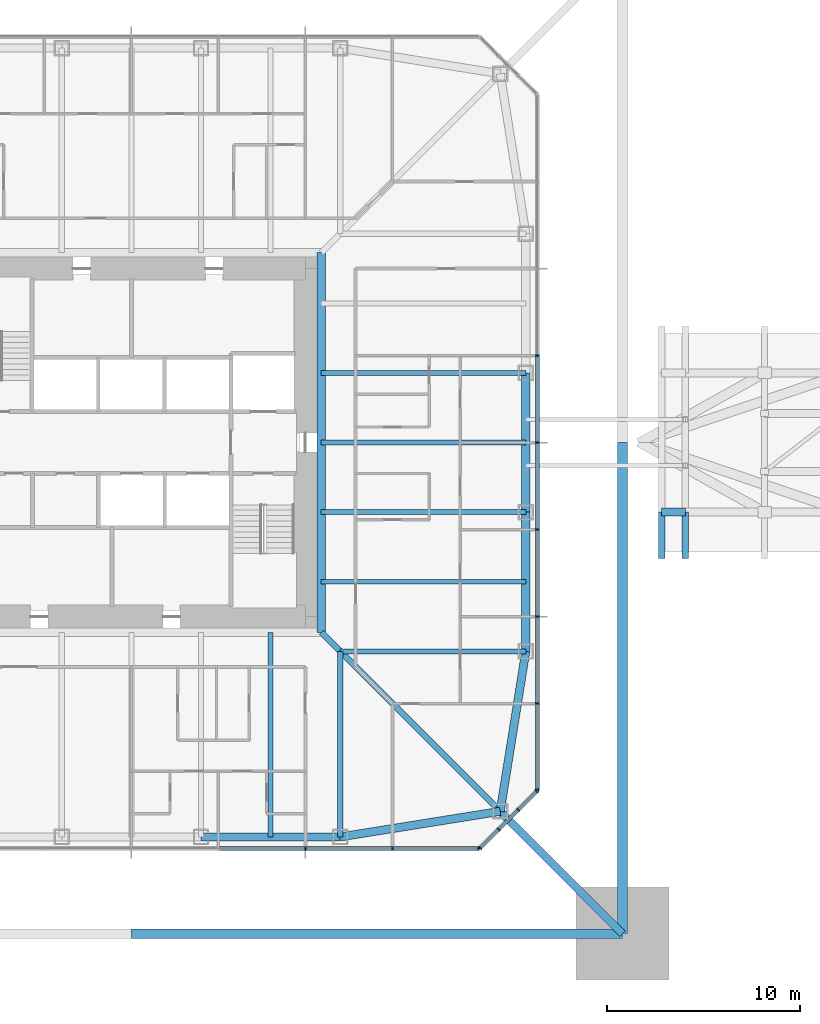
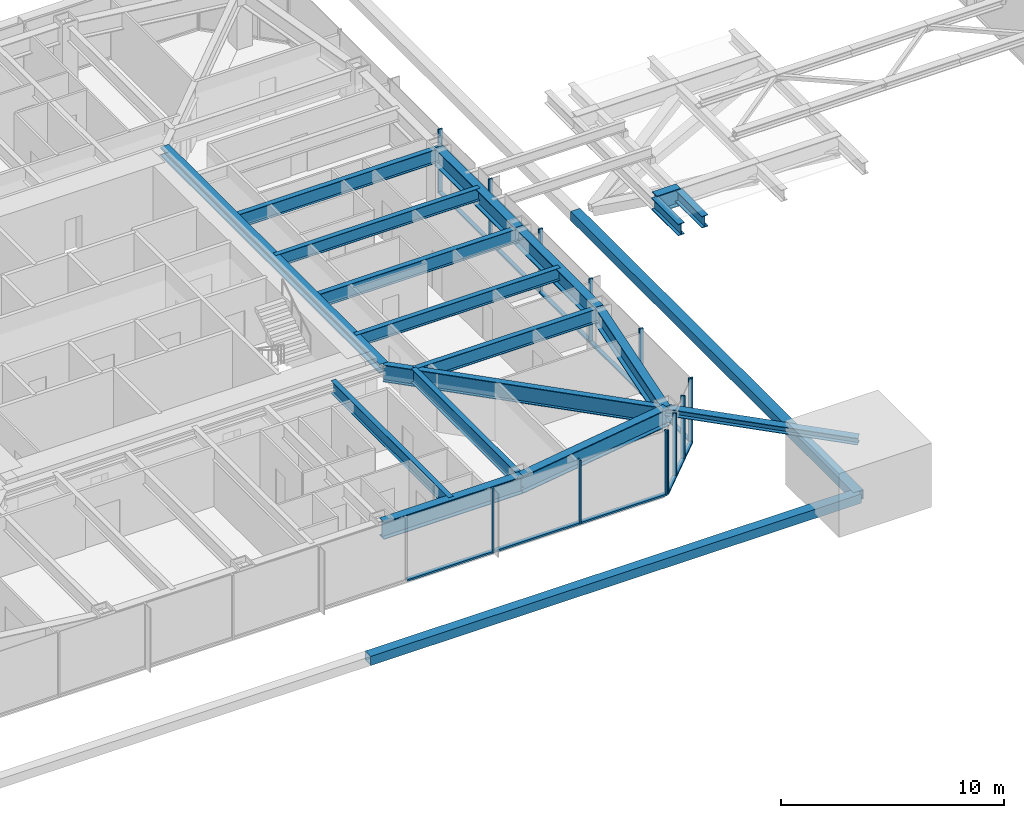
# One storey, part 4 of 26: 29 members, 17 beams, 3 elements without a shape of their own.
"""IFC4 building model written with IfcOpenShell, lengths in metres."""

from ifc_helpers import new_model, si_unit, direction, frame, origin, origin_2d, place, context, subcontext, project, spatial, rectangle, hollow_rectangle, i_section, extrude, material, material_profile, profile_set, type_object, element, aggregate, save


model = new_model("IFC4")

# Units and contexts
model_context = context("Model", 3, precision=1e-05, world=origin(), true_north=direction((0.0, 1.0)))
body_context = subcontext(model_context, "Body", "Model", "MODEL_VIEW")
ifc_project = project(units=[si_unit("LENGTHUNIT", "METRE"), si_unit("AREAUNIT", "SQUARE_METRE"), si_unit("VOLUMEUNIT", "CUBIC_METRE"), si_unit("PLANEANGLEUNIT", "RADIAN"), si_unit("MASSUNIT", "GRAM", prefix="KILO")], contexts=[model_context])

# Site, building, storey
site_placement = place(None, origin())
site = spatial("IfcSite", under=ifc_project, at=site_placement, CompositionType="ELEMENT")
building_placement = place(site_placement, origin())
building = spatial("IfcBuilding", under=site, at=building_placement, Name="Iwan Alto Co-Living Towers", CompositionType="ELEMENT")
storey_placement = place(building_placement, frame((0.0, 0.0, 126.0)))
storey = spatial("IfcBuildingStorey", under=building, at=storey_placement, Name="L34", CompositionType="ELEMENT", Elevation=126.0)

# Beams
ifc_material_1 = material(Name="Steel ASTM A992 Gr 50", Category="steel")
ifc_material_profile_1 = material_profile(ifc_material_1, i_section(OverallWidth=0.424072265625, OverallDepth=0.947509765625, WebThickness=0.02392578125, FlangeThickness=0.042724609375, at=origin_2d()), Name="W36X302")
ifc_profile_set_1 = profile_set([ifc_material_profile_1], Name="Steel ASTM A992 Gr 50")
beam_type_1 = type_object("IfcBeamType", Name="BRIDGE POD EDGE GIRDER W36X302", PredefinedType="BEAM", material=ifc_profile_set_1)
beam_1_placement = place(storey_placement, frame((27.423828125, -3.60009765625, 2.11767578125), z_axis=(1.0, 0.0, 0.0), x_axis=(0.0, 1.0, 0.0)))
element("IfcBeam", 1, at=beam_1_placement, inside=storey, type_object=beam_type_1, Name="BR2 landing grillage edge girder S 1", PredefinedType="BEAM", context=body_context, shape_type="SweptSolid", body=[
    extrude(i_section(OverallWidth=0.424072265625, OverallDepth=0.947509765625, WebThickness=0.02392578125, FlangeThickness=0.042724609375, at=origin_2d()), origin(), (0.0, 0.0, 1.0), 1.22607421875),
])
ifc_material_2 = material(Name="Steel ASTM A992 Gr 50", Category="steel")
ifc_material_profile_2 = material_profile(ifc_material_2, i_section(OverallWidth=0.32763671875, OverallDepth=0.64013671875, WebThickness=0.01904296875, FlangeThickness=0.033935546875, at=origin_2d()), Name="W24X176")
ifc_profile_set_2 = profile_set([ifc_material_profile_2], Name="Steel ASTM A992 Gr 50")
beam_type_2 = type_object("IfcBeamType", Name="BRIDGE POD GRILLAGE GIRDER W24X176", PredefinedType="BEAM", material=ifc_profile_set_2)
for number, where, z_axis, x_axis, name in (
    (2, (27.423828125, -6.0, 2.11767578125), (0.0, 1.0, 0.0), (-1.0, 0.0, 0.0), "BR2 landing grillage girder 1"),
    (3, (28.64990234375, -6.0, 2.11767578125), (0.0, 1.0, 0.0), (-1.0, 0.0, 0.0), "BR2 landing grillage girder 1"),
):
    element("IfcBeam", number, at=place(storey_placement, frame(where, z_axis=z_axis, x_axis=x_axis)), inside=storey, type_object=beam_type_2, Name=name, PredefinedType="BEAM", context=body_context, shape_type="SweptSolid", body=[
        extrude(i_section(OverallWidth=0.32763671875, OverallDepth=0.64013671875, WebThickness=0.01904296875, FlangeThickness=0.033935546875, at=origin_2d()), origin(), (0.0, 0.0, 1.0), 2.39990234375),
    ])

# Curtain wall, members
ifc_material_3 = material(Name="Bronze aluminium unitised frame", Category="aluminium")
curtain_wall_type_1 = type_object("IfcCurtainWallType", Name="CURTAIN WALL CW-A", PredefinedType="NOTDEFINED", material=ifc_material_3)
curtain_wall_1_placement = place(storey_placement, origin())
curtain_wall_1 = element("IfcCurtainWall", 4, at=curtain_wall_1_placement, inside=storey, type_object=curtain_wall_type_1, Name="T1 curtain wall S L34", PredefinedType="NOTDEFINED")
ifc_material_4 = material(Name="Aluminium 6063-T6 bronze anodised", Category="aluminium")
ifc_material_profile_3 = material_profile(ifc_material_4, rectangle(XDim=0.199951171875, YDim=0.080078125, at=origin_2d()), Name="AL 80X200")
ifc_profile_set_3 = profile_set([ifc_material_profile_3], Name="Aluminium 6063-T6 bronze anodised")
member_type_1 = type_object("IfcMemberType", Name="CW-A MULLION 80X200", PredefinedType="MULLION", material=ifc_profile_set_3)
member_1_placement = place(storey_placement, frame((9.0, -21.0, 0.0), z_axis=(0.0, 0.0, 1.0), x_axis=(0.0, 1.0, 0.0)))
member_1 = element("IfcMember", 5, at=member_1_placement, type_object=member_type_1, Name="CW-A mullion 7", PredefinedType="MULLION", context=body_context, shape_type="SweptSolid", body=[
    extrude(rectangle(XDim=0.199951171875, YDim=0.080078125, at=origin_2d()), origin(), (0.0, 0.0, 1.0), 3.5),
])
member_2_placement = place(storey_placement, frame((13.5, -21.0, 0.0), z_axis=(0.0, 0.0, 1.0), x_axis=(0.0, 1.0, 0.0)))
member_2 = element("IfcMember", 6, at=member_2_placement, type_object=member_type_1, Name="CW-A mullion 8", PredefinedType="MULLION", context=body_context, shape_type="SweptSolid", body=[
    extrude(rectangle(XDim=0.199951171875, YDim=0.080078125, at=origin_2d()), origin(), (0.0, 0.0, 1.0), 3.5),
])
member_3_placement = place(storey_placement, frame((17.9599609375, -21.0, 0.0), z_axis=(0.0, 0.0, 1.0), x_axis=(0.0, 1.0, 0.0)))
member_3 = element("IfcMember", 7, at=member_3_placement, type_object=member_type_1, Name="CW-A mullion 9", PredefinedType="MULLION", context=body_context, shape_type="SweptSolid", body=[
    extrude(rectangle(XDim=0.199951171875, YDim=0.080078125, at=origin_2d()), origin(), (0.0, 0.0, 1.0), 3.5),
])

curtain_wall_2_placement = place(storey_placement, origin())
curtain_wall_2 = element("IfcCurtainWall", 8, at=curtain_wall_2_placement, inside=storey, type_object=curtain_wall_type_1, Name="T1 curtain wall E L34", PredefinedType="NOTDEFINED")
member_4_placement = place(storey_placement, frame((21.0, -17.9599609375, 0.0), z_axis=(0.0, 0.0, 1.0), x_axis=(-1.0, 0.0, 0.0)))
member_4 = element("IfcMember", 9, at=member_4_placement, type_object=member_type_1, Name="CW-A mullion 1", PredefinedType="MULLION", context=body_context, shape_type="SweptSolid", body=[
    extrude(rectangle(XDim=0.199951171875, YDim=0.080078125, at=origin_2d()), origin(), (0.0, 0.0, 1.0), 3.5),
])
member_5_placement = place(storey_placement, frame((21.0, -13.5, 0.0), z_axis=(0.0, 0.0, 1.0), x_axis=(-1.0, 0.0, 0.0)))
member_5 = element("IfcMember", 10, at=member_5_placement, type_object=member_type_1, Name="CW-A mullion 2", PredefinedType="MULLION", context=body_context, shape_type="SweptSolid", body=[
    extrude(rectangle(XDim=0.199951171875, YDim=0.080078125, at=origin_2d()), origin(), (0.0, 0.0, 1.0), 3.5),
])
member_6_placement = place(storey_placement, frame((21.0, -9.0, 0.0), z_axis=(0.0, 0.0, 1.0), x_axis=(-1.0, 0.0, 0.0)))
member_6 = element("IfcMember", 11, at=member_6_placement, type_object=member_type_1, Name="CW-A mullion 3", PredefinedType="MULLION", context=body_context, shape_type="SweptSolid", body=[
    extrude(rectangle(XDim=0.199951171875, YDim=0.080078125, at=origin_2d()), origin(), (0.0, 0.0, 1.0), 3.5),
])
member_7_placement = place(storey_placement, frame((21.0, -4.5, 0.0), z_axis=(0.0, 0.0, 1.0), x_axis=(-1.0, 0.0, 0.0)))
member_7 = element("IfcMember", 12, at=member_7_placement, type_object=member_type_1, Name="CW-A mullion 4", PredefinedType="MULLION", context=body_context, shape_type="SweptSolid", body=[
    extrude(rectangle(XDim=0.199951171875, YDim=0.080078125, at=origin_2d()), origin(), (0.0, 0.0, 1.0), 3.5),
])
member_8_placement = place(storey_placement, frame((21.0, 0.0, 0.0), z_axis=(0.0, 0.0, 1.0), x_axis=(-1.0, 0.0, 0.0)))
member_8 = element("IfcMember", 13, at=member_8_placement, type_object=member_type_1, Name="CW-A mullion 5", PredefinedType="MULLION", context=body_context, shape_type="SweptSolid", body=[
    extrude(rectangle(XDim=0.199951171875, YDim=0.080078125, at=origin_2d()), origin(), (0.0, 0.0, 1.0), 3.5),
])
member_9_placement = place(storey_placement, frame((21.0, 4.5, 0.0), z_axis=(0.0, 0.0, 1.0), x_axis=(-1.0, 0.0, 0.0)))
member_9 = element("IfcMember", 14, at=member_9_placement, type_object=member_type_1, Name="CW-A mullion 6", PredefinedType="MULLION", context=body_context, shape_type="SweptSolid", body=[
    extrude(rectangle(XDim=0.199951171875, YDim=0.080078125, at=origin_2d()), origin(), (0.0, 0.0, 1.0), 3.5),
])

# Member
ifc_material_5 = material(Name="Aluminium 6063-T6 bronze anodised", Category="aluminium")
ifc_material_profile_4 = material_profile(ifc_material_5, rectangle(XDim=0.199951171875, YDim=0.10009765625, at=origin_2d()), Name="AL 200X100")
ifc_profile_set_4 = profile_set([ifc_material_profile_4], Name="Aluminium 6063-T6 bronze anodised")
member_type_2 = type_object("IfcMemberType", Name="CW-A TRANSOM 200X100", PredefinedType="USERDEFINED", material=ifc_profile_set_4)
member_10_placement = place(storey_placement, frame((4.5400390625, -21.0, 0.050048828125), z_axis=(1.0, 0.0, 0.0), x_axis=(0.0, 1.0, 0.0)))
member_10 = element("IfcMember", 15, at=member_10_placement, type_object=member_type_2, Name="CW-A transom 6.1", ObjectType="TRANSOM", PredefinedType="USERDEFINED", context=body_context, shape_type="SweptSolid", body=[
    extrude(rectangle(XDim=0.199951171875, YDim=0.10009765625, at=origin_2d()), origin(), (0.0, 0.0, 1.0), 4.419921875),
])

member_11_placement = place(storey_placement, frame((9.0400390625, -21.0, 0.050048828125), z_axis=(1.0, 0.0, 0.0), x_axis=(0.0, 1.0, 0.0)))
member_11 = element("IfcMember", 16, at=member_11_placement, type_object=member_type_2, Name="CW-A transom 7.1", ObjectType="TRANSOM", PredefinedType="USERDEFINED", context=body_context, shape_type="SweptSolid", body=[
    extrude(rectangle(XDim=0.199951171875, YDim=0.10009765625, at=origin_2d()), origin(), (0.0, 0.0, 1.0), 4.419921875),
])

member_12_placement = place(storey_placement, frame((13.5400390625, -21.0, 0.050048828125), z_axis=(1.0, 0.0, 0.0), x_axis=(0.0, 1.0, 0.0)))
member_12 = element("IfcMember", 17, at=member_12_placement, type_object=member_type_2, Name="CW-A transom 8.1", ObjectType="TRANSOM", PredefinedType="USERDEFINED", context=body_context, shape_type="SweptSolid", body=[
    extrude(rectangle(XDim=0.199951171875, YDim=0.10009765625, at=origin_2d()), origin(), (0.0, 0.0, 1.0), 4.3798828125),
])

aggregate(curtain_wall_1, [member_1, member_2, member_3, member_10, member_11, member_12])

member_13_placement = place(storey_placement, frame((21.0, -17.919921875, 0.050048828125), z_axis=(0.0, 1.0, 0.0), x_axis=(-1.0, 0.0, 0.0)))
member_13 = element("IfcMember", 18, at=member_13_placement, type_object=member_type_2, Name="CW-A transom 1.1", ObjectType="TRANSOM", PredefinedType="USERDEFINED", context=body_context, shape_type="SweptSolid", body=[
    extrude(rectangle(XDim=0.199951171875, YDim=0.10009765625, at=origin_2d()), origin(), (0.0, 0.0, 1.0), 4.3798828125),
])

member_14_placement = place(storey_placement, frame((21.0, -13.4599609375, 0.050048828125), z_axis=(0.0, 1.0, 0.0), x_axis=(-1.0, 0.0, 0.0)))
member_14 = element("IfcMember", 19, at=member_14_placement, type_object=member_type_2, Name="CW-A transom 2.1", ObjectType="TRANSOM", PredefinedType="USERDEFINED", context=body_context, shape_type="SweptSolid", body=[
    extrude(rectangle(XDim=0.199951171875, YDim=0.10009765625, at=origin_2d()), origin(), (0.0, 0.0, 1.0), 4.419921875),
])

member_15_placement = place(storey_placement, frame((21.0, -8.9599609375, 0.050048828125), z_axis=(0.0, 1.0, 0.0), x_axis=(-1.0, 0.0, 0.0)))
member_15 = element("IfcMember", 20, at=member_15_placement, type_object=member_type_2, Name="CW-A transom 3.1", ObjectType="TRANSOM", PredefinedType="USERDEFINED", context=body_context, shape_type="SweptSolid", body=[
    extrude(rectangle(XDim=0.199951171875, YDim=0.10009765625, at=origin_2d()), origin(), (0.0, 0.0, 1.0), 4.419921875),
])

member_16_placement = place(storey_placement, frame((21.0, -4.4599609375, 0.050048828125), z_axis=(0.0, 1.0, 0.0), x_axis=(-1.0, 0.0, 0.0)))
member_16 = element("IfcMember", 21, at=member_16_placement, type_object=member_type_2, Name="CW-A transom 4.1", ObjectType="TRANSOM", PredefinedType="USERDEFINED", context=body_context, shape_type="SweptSolid", body=[
    extrude(rectangle(XDim=0.199951171875, YDim=0.10009765625, at=origin_2d()), origin(), (0.0, 0.0, 1.0), 4.419921875),
])

member_17_placement = place(storey_placement, frame((21.0, -4.4599609375, 2.611572265625), z_axis=(0.0, 1.0, 0.0), x_axis=(-1.0, 0.0, 0.0)))
member_17 = element("IfcMember", 22, at=member_17_placement, type_object=member_type_2, Name="CW-A transom 4.2", ObjectType="TRANSOM", PredefinedType="USERDEFINED", context=body_context, shape_type="SweptSolid", body=[
    extrude(rectangle(XDim=0.199951171875, YDim=0.10009765625, at=origin_2d()), origin(), (0.0, 0.0, 1.0), 4.419921875),
])

member_18_placement = place(storey_placement, frame((21.0, 0.0400390625, 0.050048828125), z_axis=(0.0, 1.0, 0.0), x_axis=(-1.0, 0.0, 0.0)))
member_18 = element("IfcMember", 23, at=member_18_placement, type_object=member_type_2, Name="CW-A transom 5.1", ObjectType="TRANSOM", PredefinedType="USERDEFINED", context=body_context, shape_type="SweptSolid", body=[
    extrude(rectangle(XDim=0.199951171875, YDim=0.10009765625, at=origin_2d()), origin(), (0.0, 0.0, 1.0), 4.419921875),
])

member_19_placement = place(storey_placement, frame((21.0, 0.0400390625, 2.611572265625), z_axis=(0.0, 1.0, 0.0), x_axis=(-1.0, 0.0, 0.0)))
member_19 = element("IfcMember", 24, at=member_19_placement, type_object=member_type_2, Name="CW-A transom 5.2", ObjectType="TRANSOM", PredefinedType="USERDEFINED", context=body_context, shape_type="SweptSolid", body=[
    extrude(rectangle(XDim=0.199951171875, YDim=0.10009765625, at=origin_2d()), origin(), (0.0, 0.0, 1.0), 4.419921875),
])

aggregate(curtain_wall_2, [member_4, member_5, member_6, member_7, member_8, member_9, member_13, member_14, member_15, member_16, member_17, member_18, member_19])

# Curtain wall, members
ifc_material_6 = material(Name="Bronze aluminium unitised frame", Category="aluminium")
curtain_wall_type_2 = type_object("IfcCurtainWallType", Name="CURTAIN WALL CW-B", PredefinedType="NOTDEFINED", material=ifc_material_6)
curtain_wall_3_placement = place(storey_placement, origin())
curtain_wall_3 = element("IfcCurtainWall", 25, at=curtain_wall_3_placement, inside=storey, type_object=curtain_wall_type_2, Name="T1 chamfer curtain wall SE L34", PredefinedType="NOTDEFINED")
ifc_material_7 = material(Name="Aluminium 6063-T6 bronze anodised", Category="aluminium")
ifc_material_profile_5 = material_profile(ifc_material_7, rectangle(XDim=0.199951171875, YDim=0.080078125, at=origin_2d()), Name="AL 80X200")
ifc_profile_set_5 = profile_set([ifc_material_profile_5], Name="Aluminium 6063-T6 bronze anodised")
member_type_3 = type_object("IfcMemberType", Name="CW-B MULLION 80X200", PredefinedType="MULLION", material=ifc_profile_set_5)
member_20_placement = place(storey_placement, frame((18.0283203125, -20.9716796875, 0.0), z_axis=(0.0, 0.0, 1.0), x_axis=(-0.707106781187, 0.707106781187, 0.0)))
member_20 = element("IfcMember", 26, at=member_20_placement, type_object=member_type_3, Name="CW-B mullion 1", PredefinedType="MULLION", context=body_context, shape_type="SweptSolid", body=[
    extrude(rectangle(XDim=0.199951171875, YDim=0.080078125, at=origin_2d()), origin(), (0.0, 0.0, 1.0), 3.5),
])
member_21_placement = place(storey_placement, frame((19.0, -20.0, 0.0), z_axis=(0.0, 0.0, 1.0), x_axis=(-0.707106781187, 0.707106781187, 0.0)))
member_21 = element("IfcMember", 27, at=member_21_placement, type_object=member_type_3, Name="CW-B mullion 2", PredefinedType="MULLION", context=body_context, shape_type="SweptSolid", body=[
    extrude(rectangle(XDim=0.199951171875, YDim=0.080078125, at=origin_2d()), origin(), (0.0, 0.0, 1.0), 3.5),
])
member_22_placement = place(storey_placement, frame((20.0, -19.0, 0.0), z_axis=(0.0, 0.0, 1.0), x_axis=(-0.707106781187, 0.707106781187, 0.0)))
member_22 = element("IfcMember", 28, at=member_22_placement, type_object=member_type_3, Name="CW-B mullion 3", PredefinedType="MULLION", context=body_context, shape_type="SweptSolid", body=[
    extrude(rectangle(XDim=0.199951171875, YDim=0.080078125, at=origin_2d()), origin(), (0.0, 0.0, 1.0), 3.5),
])
member_23_placement = place(storey_placement, frame((20.9716796875, -18.0283203125, 0.0), z_axis=(0.0, 0.0, 1.0), x_axis=(-0.707106781187, 0.707106781187, 0.0)))
member_23 = element("IfcMember", 29, at=member_23_placement, type_object=member_type_3, Name="CW-B mullion 4", PredefinedType="MULLION", context=body_context, shape_type="SweptSolid", body=[
    extrude(rectangle(XDim=0.199951171875, YDim=0.080078125, at=origin_2d()), origin(), (0.0, 0.0, 1.0), 3.5),
])
ifc_material_8 = material(Name="Aluminium 6063-T6 bronze anodised", Category="aluminium")
ifc_material_profile_6 = material_profile(ifc_material_8, rectangle(XDim=0.199951171875, YDim=0.10009765625, at=origin_2d()), Name="AL 200X100")
ifc_profile_set_6 = profile_set([ifc_material_profile_6], Name="Aluminium 6063-T6 bronze anodised")
member_type_4 = type_object("IfcMemberType", Name="CW-B TRANSOM 200X100", PredefinedType="USERDEFINED", material=ifc_profile_set_6)
member_24_placement = place(storey_placement, frame((18.056640625, -20.943359375, 0.050048828125), z_axis=(0.707106781187, 0.707106781187, 0.0), x_axis=(-0.707106781187, 0.707106781187, 0.0)))
member_24 = element("IfcMember", 30, at=member_24_placement, type_object=member_type_4, Name="CW-B transom 1.1", ObjectType="TRANSOM", PredefinedType="USERDEFINED", context=body_context, shape_type="SweptSolid", body=[
    extrude(rectangle(XDim=0.199951171875, YDim=0.10009765625, at=origin_2d()), origin(), (0.0, 0.0, 1.0), 1.2939453125),
])
member_25_placement = place(storey_placement, frame((19.0283203125, -19.9716796875, 0.050048828125), z_axis=(0.707106781187, 0.707106781187, 0.0), x_axis=(-0.707106781187, 0.707106781187, 0.0)))
member_25 = element("IfcMember", 31, at=member_25_placement, type_object=member_type_4, Name="CW-B transom 2.1", ObjectType="TRANSOM", PredefinedType="USERDEFINED", context=body_context, shape_type="SweptSolid", body=[
    extrude(rectangle(XDim=0.199951171875, YDim=0.10009765625, at=origin_2d()), origin(), (0.0, 0.0, 1.0), 1.334228515625),
])
member_26_placement = place(storey_placement, frame((20.0283203125, -18.9716796875, 0.050048828125), z_axis=(0.707106781187, 0.707106781187, 0.0), x_axis=(-0.707106781187, 0.707106781187, 0.0)))
member_26 = element("IfcMember", 32, at=member_26_placement, type_object=member_type_4, Name="CW-B transom 3.1", ObjectType="TRANSOM", PredefinedType="USERDEFINED", context=body_context, shape_type="SweptSolid", body=[
    extrude(rectangle(XDim=0.199951171875, YDim=0.10009765625, at=origin_2d()), origin(), (0.0, 0.0, 1.0), 1.2939453125),
])
aggregate(curtain_wall_3, [member_20, member_21, member_22, member_23, member_24, member_25, member_26])

# Beams
ifc_material_9 = material(Name="Steel ASTM A992 Gr 50", Category="steel")
ifc_material_profile_7 = material_profile(ifc_material_9, i_section(OverallWidth=0.436767578125, OverallDepth=0.51318359375, WebThickness=0.060546875, FlangeThickness=0.096923828125, at=origin_2d()), Name="W14X550")
ifc_profile_set_7 = profile_set([ifc_material_profile_7], Name="Steel ASTM A992 Gr 50")
beam_type_3 = type_object("IfcBeamType", Name="T1 CORE LEDGER BEAM W14X550", PredefinedType="BEAM", material=ifc_profile_set_7)
beam_2_placement = place(storey_placement, frame((9.818359375, -9.818359375, 3.013427734375), z_axis=(0.0, 1.0, 0.0), x_axis=(-1.0, 0.0, 0.0)))
element("IfcBeam", 33, at=beam_2_placement, inside=storey, type_object=beam_type_3, Name="T1 core ledger beam E L35", PredefinedType="BEAM", context=body_context, shape_type="SweptSolid", body=[
    extrude(i_section(OverallWidth=0.436767578125, OverallDepth=0.51318359375, WebThickness=0.060546875, FlangeThickness=0.096923828125, at=origin_2d()), origin(), (0.0, 0.0, 1.0), 19.63671875),
])
ifc_material_10 = material(Name="Steel ASTM A992 Gr 50", Category="steel")
ifc_material_profile_8 = material_profile(ifc_material_10, i_section(OverallWidth=0.307373046875, OverallDepth=0.927001953125, WebThickness=0.01953125, FlangeThickness=0.031982421875, at=origin_2d()), Name="W36X194")
ifc_profile_set_8 = profile_set([ifc_material_profile_8], Name="Steel ASTM A992 Gr 50")
beam_type_4 = type_object("IfcBeamType", Name="T1 CORNER GIRDER W36X194", PredefinedType="BEAM", material=ifc_profile_set_8)
beam_3_placement = place(storey_placement, frame((19.07568359375, -19.07568359375, 2.806396484375), z_axis=(-0.707106781187, 0.707106781187, 0.0), x_axis=(-0.707106781187, -0.707106781187, 0.0)))
element("IfcBeam", 34, at=beam_3_placement, inside=storey, type_object=beam_type_4, Name="T1 corner girder CSE L35", PredefinedType="BEAM", context=body_context, shape_type="SweptSolid", body=[
    extrude(i_section(OverallWidth=0.307373046875, OverallDepth=0.927001953125, WebThickness=0.01953125, FlangeThickness=0.031982421875, at=origin_2d()), origin(), (0.0, 0.0, 1.0), 13.091796875),
])
ifc_material_11 = material(Name="Steel ASTM A992 Gr 50", Category="steel")
ifc_material_profile_9 = material_profile(ifc_material_11, i_section(OverallWidth=0.424072265625, OverallDepth=0.947509765625, WebThickness=0.02392578125, FlangeThickness=0.042724609375, at=origin_2d()), Name="W36X302")
ifc_profile_set_9 = profile_set([ifc_material_profile_9], Name="Steel ASTM A992 Gr 50")
beam_type_5 = type_object("IfcBeamType", Name="T1 EDGE BEAM W36X302", PredefinedType="BEAM", material=ifc_profile_set_9)
beam_4_placement = place(storey_placement, frame((3.60009765625, -20.39990234375, 2.79638671875), z_axis=(1.0, 0.0, 0.0), x_axis=(0.0, 1.0, 0.0)))
element("IfcBeam", 35, at=beam_4_placement, inside=storey, type_object=beam_type_5, Name="T1 edge beam S3 L35", PredefinedType="BEAM", context=body_context, shape_type="SweptSolid", body=[
    extrude(i_section(OverallWidth=0.424072265625, OverallDepth=0.947509765625, WebThickness=0.02392578125, FlangeThickness=0.042724609375, at=origin_2d()), origin(), (0.0, 0.0, 1.0), 7.199951171875),
])
for number, where, z_axis, x_axis, name in (
    (36, (10.800048828125, -20.39990234375, 2.79638671875), (0.987438450439, 0.158004134737, 0.0), (-0.158004134737, 0.987438450439, 0.0), "T1 edge beam S4 L35"),
    (37, (19.07568359375, -19.07568359375, 2.79638671875), (0.158004134737, 0.987438450439, 0.0), (-0.987438450439, 0.158004134737, 0.0), "T1 edge beam CSE L35"),
):
    element("IfcBeam", number, at=place(storey_placement, frame(where, z_axis=z_axis, x_axis=x_axis)), inside=storey, type_object=beam_type_5, Name=name, PredefinedType="BEAM", context=body_context, shape_type="SweptSolid", body=[
        extrude(i_section(OverallWidth=0.424072265625, OverallDepth=0.947509765625, WebThickness=0.02392578125, FlangeThickness=0.042724609375, at=origin_2d()), origin(), (0.0, 0.0, 1.0), 8.380859375),
    ])
beam_5_placement = place(storey_placement, frame((20.39990234375, -10.800048828125, 2.79638671875), z_axis=(0.0, 1.0, 0.0), x_axis=(-1.0, 0.0, 0.0)))
element("IfcBeam", 38, at=beam_5_placement, inside=storey, type_object=beam_type_5, Name="T1 edge beam E1 L35", PredefinedType="BEAM", context=body_context, shape_type="SweptSolid", body=[
    extrude(i_section(OverallWidth=0.424072265625, OverallDepth=0.947509765625, WebThickness=0.02392578125, FlangeThickness=0.042724609375, at=origin_2d()), origin(), (0.0, 0.0, 1.0), 7.199951171875),
])
beam_6_placement = place(storey_placement, frame((20.39990234375, -3.60009765625, 2.79638671875), z_axis=(0.0, 1.0, 0.0), x_axis=(-1.0, 0.0, 0.0)))
element("IfcBeam", 39, at=beam_6_placement, inside=storey, type_object=beam_type_5, Name="T1 edge beam E2 L35", PredefinedType="BEAM", context=body_context, shape_type="SweptSolid", body=[
    extrude(i_section(OverallWidth=0.424072265625, OverallDepth=0.947509765625, WebThickness=0.02392578125, FlangeThickness=0.042724609375, at=origin_2d()), origin(), (0.0, 0.0, 1.0), 7.2001953125),
])

# Members
ifc_material_12 = material(Name="Steel ASTM A992 Gr 50", Category="steel")
ifc_material_profile_10 = material_profile(ifc_material_12, i_section(OverallWidth=0.393798828125, OverallDepth=0.3759765625, WebThickness=0.017333984375, FlangeThickness=0.027587890625, at=origin_2d()), Name="W14X145")
ifc_profile_set_10 = profile_set([ifc_material_profile_10], Name="Steel ASTM A992 Gr 50")
member_type_5 = type_object("IfcMemberType", Name="T1 MEGA COLUMN FLOOR TIE W14X145", PredefinedType="STRUT", material=ifc_profile_set_10)
member_27_placement = place(storey_placement, frame((25.39990234375, -25.39990234375, 3.08203125), z_axis=(-0.707106781187, 0.707106781187, 0.0), x_axis=(-0.707106781187, -0.707106781187, 0.0)))
element("IfcMember", 40, at=member_27_placement, inside=storey, type_object=member_type_5, Name="T1 mega column floor tie SE L35", PredefinedType="STRUT", context=body_context, shape_type="SweptSolid", body=[
    extrude(i_section(OverallWidth=0.393798828125, OverallDepth=0.3759765625, WebThickness=0.017333984375, FlangeThickness=0.027587890625, at=origin_2d()), origin(), (0.0, 0.0, 1.0), 8.94384765625),
])
ifc_material_13 = material(Name="Steel ASTM A572 Gr 50", Category="steel")
ifc_material_profile_11 = material_profile(ifc_material_13, hollow_rectangle(XDim=0.5, YDim=0.5, WallThickness=0.031982421875, at=origin_2d()), Name="BOX 500X500X32")
ifc_profile_set_11 = profile_set([ifc_material_profile_11], Name="Steel ASTM A572 Gr 50")
member_type_6 = type_object("IfcMemberType", Name="T1 MEGA TIE BOX 500X500X32", PredefinedType="STRUT", material=ifc_profile_set_11)
for number, where, z_axis, x_axis, name in (
    (41, (0.0, -25.39990234375, 0.0), (1.0, 0.0, 0.0), (0.0, 1.0, 0.0), "T1 mega tie Z2B S 2"),
    (42, (25.39990234375, -25.39990234375, 0.0), (0.0, 1.0, 0.0), (-1.0, 0.0, 0.0), "T1 mega tie Z2B E 1"),
):
    element("IfcMember", number, at=place(storey_placement, frame(where, z_axis=z_axis, x_axis=x_axis)), inside=storey, type_object=member_type_6, Name=name, PredefinedType="STRUT", context=body_context, shape_type="SweptSolid", body=[
        extrude(hollow_rectangle(XDim=0.5, YDim=0.5, WallThickness=0.031982421875, at=origin_2d()), origin(), (0.0, 0.0, 1.0), 25.39990234375),
    ])

# Beams
ifc_material_14 = material(Name="Steel ASTM A992 Gr 50", Category="steel")
ifc_material_profile_12 = material_profile(ifc_material_14, i_section(OverallWidth=0.2666015625, OverallDepth=0.761962890625, WebThickness=0.014404296875, FlangeThickness=0.021484375, at=origin_2d()), Name="W30X116")
ifc_profile_set_12 = profile_set([ifc_material_profile_12], Name="Steel ASTM A992 Gr 50")
beam_type_6 = type_object("IfcBeamType", Name="T1 RADIAL BEAM W30X116", PredefinedType="BEAM", material=ifc_profile_set_12)
for number, where, z_axis, x_axis, name in (
    (43, (10.800048828125, -20.39990234375, 2.888916015625), (0.0, 1.0, 0.0), (-1.0, 0.0, 0.0), "T1 radial beam S4 L35"),
    (44, (20.39990234375, -10.800048828125, 2.888916015625), (-1.0, 0.0, 0.0), (0.0, -1.0, 0.0), "T1 radial beam E1 L35"),
):
    element("IfcBeam", number, at=place(storey_placement, frame(where, z_axis=z_axis, x_axis=x_axis)), inside=storey, type_object=beam_type_6, Name=name, PredefinedType="BEAM", context=body_context, shape_type="SweptSolid", body=[
        extrude(i_section(OverallWidth=0.2666015625, OverallDepth=0.761962890625, WebThickness=0.014404296875, FlangeThickness=0.021484375, at=origin_2d()), origin(), (0.0, 0.0, 1.0), 9.599853515625),
    ])
for number, where, z_axis, x_axis, name in (
    (45, (20.39990234375, -3.60009765625, 2.888916015625), (-1.0, 0.0, 0.0), (0.0, -1.0, 0.0), "T1 radial beam E2 L35"),
    (46, (20.39990234375, 3.60009765625, 2.888916015625), (-1.0, 0.0, 0.0), (0.0, -1.0, 0.0), "T1 radial beam E3 L35"),
):
    element("IfcBeam", number, at=place(storey_placement, frame(where, z_axis=z_axis, x_axis=x_axis)), inside=storey, type_object=beam_type_6, Name=name, PredefinedType="BEAM", context=body_context, shape_type="SweptSolid", body=[
        extrude(i_section(OverallWidth=0.2666015625, OverallDepth=0.761962890625, WebThickness=0.014404296875, FlangeThickness=0.021484375, at=origin_2d()), origin(), (0.0, 0.0, 1.0), 10.58154296875),
    ])
ifc_material_15 = material(Name="Steel ASTM A992 Gr 50", Category="steel")
ifc_material_profile_13 = material_profile(ifc_material_15, i_section(OverallWidth=0.25390625, OverallDepth=0.683349609375, WebThickness=0.012451171875, FlangeThickness=0.018798828125, at=origin_2d()), Name="W27X94")
ifc_profile_set_13 = profile_set([ifc_material_profile_13], Name="Steel ASTM A992 Gr 50")
beam_type_7 = type_object("IfcBeamType", Name="T1 SECONDARY BEAM W27X94", PredefinedType="JOIST", material=ifc_profile_set_13)
for number, where, z_axis, x_axis, name in (
    (47, (7.199951171875, -20.39990234375, 2.928466796875), (0.0, 1.0, 0.0), (-1.0, 0.0, 0.0), "T1 secondary beam S3 L35"),
    (48, (20.39990234375, -7.199951171875, 2.928466796875), (-1.0, 0.0, 0.0), (0.0, -1.0, 0.0), "T1 secondary beam E1 L35"),
    (49, (20.39990234375, 0.0, 2.928466796875), (-1.0, 0.0, 0.0), (0.0, -1.0, 0.0), "T1 secondary beam E2 L35"),
):
    element("IfcBeam", number, at=place(storey_placement, frame(where, z_axis=z_axis, x_axis=x_axis)), inside=storey, type_object=beam_type_7, Name=name, PredefinedType="JOIST", context=body_context, shape_type="SweptSolid", body=[
        extrude(i_section(OverallWidth=0.25390625, OverallDepth=0.683349609375, WebThickness=0.012451171875, FlangeThickness=0.018798828125, at=origin_2d()), origin(), (0.0, 0.0, 1.0), 10.58154296875),
    ])

save(model, "model.ifc")
